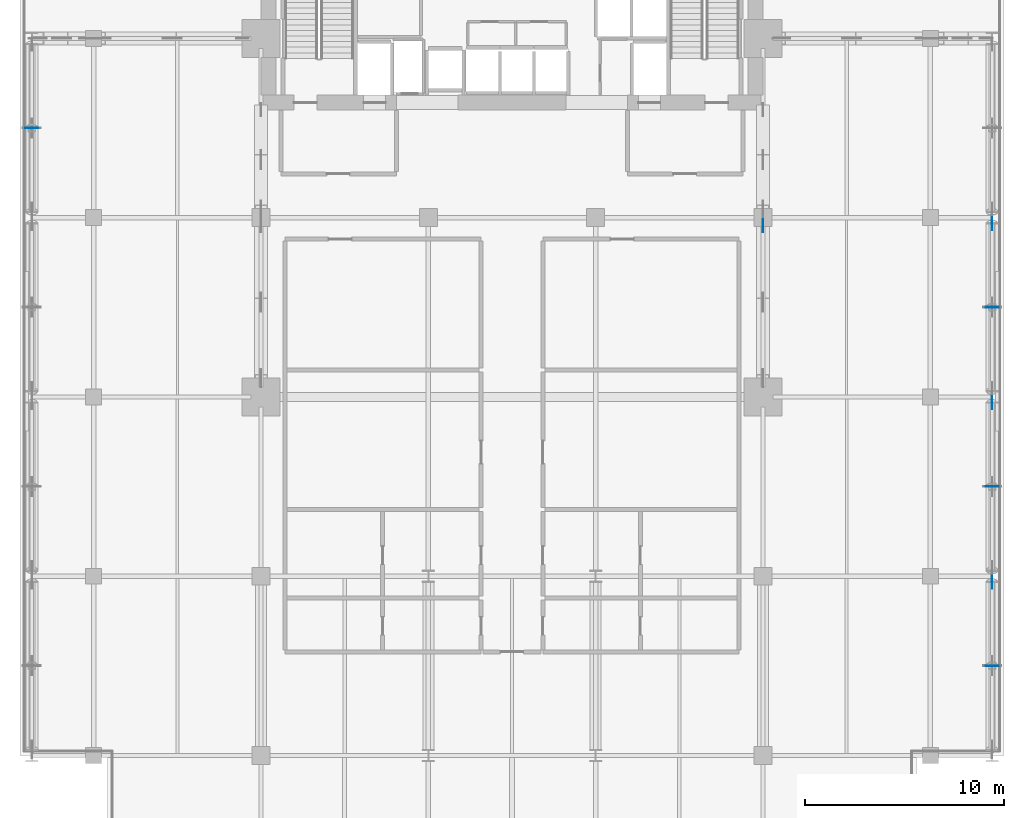
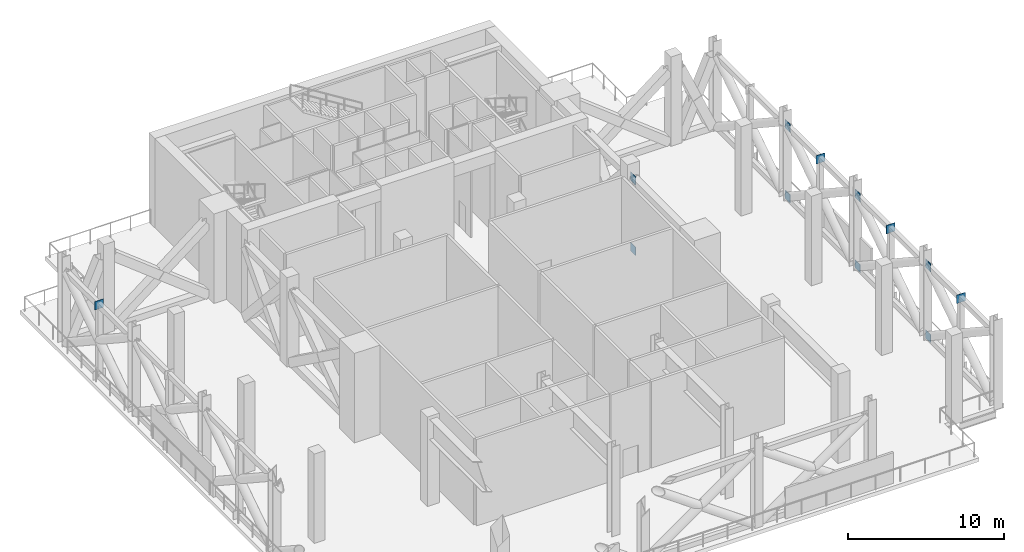
# One storey, part 7 of 14: 12 plates.
"""IFC4 building model written with IfcOpenShell, lengths in metres."""

from ifc_helpers import new_model, si_unit, direction, frame, origin, origin_2d, place, context, subcontext, project, spatial, rectangle, extrude, material, layer, layer_set, type_object, element, save


model = new_model("IFC4")

# Units and contexts
model_context = context("Model", 3, precision=1e-05, world=origin(), true_north=direction((0.0, 1.0)))
body_context = subcontext(model_context, "Body", "Model", "MODEL_VIEW")
ifc_project = project(units=[si_unit("LENGTHUNIT", "METRE"), si_unit("AREAUNIT", "SQUARE_METRE"), si_unit("VOLUMEUNIT", "CUBIC_METRE"), si_unit("PLANEANGLEUNIT", "RADIAN"), si_unit("MASSUNIT", "GRAM", prefix="KILO")], contexts=[model_context])

# Site, building, storey
site_placement = place(None, origin())
site = spatial("IfcSite", under=ifc_project, at=site_placement, CompositionType="ELEMENT")
building_placement = place(site_placement, origin())
building = spatial("IfcBuilding", under=site, at=building_placement, Name="Maruvema Waterfront Hotel and Observation Tower", CompositionType="ELEMENT")
storey_placement = place(building_placement, frame((0.0, 0.0, 227.5)))
storey = spatial("IfcBuildingStorey", under=building, at=storey_placement, Name="L56", CompositionType="ELEMENT", Elevation=227.5)

# Plates
ifc_material = material(Name="Steel ABNT NBR 7007 AR 415 (ASTM A572 Grade 50)", Category="steel")
ifc_layer = layer(ifc_material, 0.034912109375, Name="Hollow Section Sealed End Cap Plate 35 mm")
ifc_layer_set = layer_set([ifc_layer], Name="Steel ABNT NBR 7007 AR 415 (ASTM A572 Grade 50)")
plate_type = type_object("IfcPlateType", Name="Hollow Section Sealed End Cap Plate 35 mm", PredefinedType="USERDEFINED", material=ifc_layer_set)
for number, where, z_axis, x_axis, name in (
    (1, (50.39990234375, 35.60009765625, -0.074951171875), (0.0, 0.0, 1.0), (0.0, 1.0, 0.0), "L56 Outrigger Truss Bottom Chord E1 Node Plate 2"),
    (2, (50.39990234375, 35.60009765625, 5.455078125), (0.0, 0.0, 1.0), (0.0, 1.0, 0.0), "L56 Outrigger Truss Top Chord E1 Node Plate 2"),
    (3, (13.699951171875, 40.5, 5.455078125), (0.0, 0.0, 1.0), (1.0, 0.0, 0.0), "L56 Perimeter Belt Truss Post W4 Node Plate 2"),
    (4, (61.89990234375, 17.699951171875, -0.074951171875), (0.0, 0.0, 1.0), (0.0, 1.0, 0.0), "L56 Perimeter Belt Truss Chord E5 Node Plate 2"),
    (5, (61.89990234375, 17.699951171875, 5.455078125), (0.0, 0.0, 1.0), (0.0, 1.0, 0.0), "L56 Perimeter Belt Truss Top Chord E5 Node Plate 2"),
    (6, (61.89990234375, 13.5, 5.455078125), (0.0, 0.0, 1.0), (1.0, 0.0, 0.0), "L56 Perimeter Belt Truss Post E5 Node Plate 2"),
    (7, (61.89990234375, 26.699951171875, -0.074951171875), (0.0, 0.0, 1.0), (0.0, 1.0, 0.0), "L56 Perimeter Belt Truss Chord E6 Node Plate 2"),
    (8, (61.89990234375, 26.699951171875, 5.455078125), (0.0, 0.0, 1.0), (0.0, 1.0, 0.0), "L56 Perimeter Belt Truss Top Chord E6 Node Plate 2"),
    (9, (61.89990234375, 22.5, 5.455078125), (0.0, 0.0, 1.0), (1.0, 0.0, 0.0), "L56 Perimeter Belt Truss Post E6 Node Plate 2"),
    (10, (61.89990234375, 35.699951171875, -0.074951171875), (0.0, 0.0, 1.0), (0.0, 1.0, 0.0), "L56 Perimeter Belt Truss Chord E7 Node Plate 2"),
    (11, (61.89990234375, 35.699951171875, 5.455078125), (0.0, 0.0, 1.0), (0.0, 1.0, 0.0), "L56 Perimeter Belt Truss Top Chord E7 Node Plate 2"),
    (12, (61.89990234375, 31.5, 5.455078125), (0.0, 0.0, 1.0), (1.0, 0.0, 0.0), "L56 Perimeter Belt Truss Post E7 Node Plate 2"),
):
    element("IfcPlate", number, at=place(storey_placement, frame(where, z_axis=z_axis, x_axis=x_axis)), inside=storey, type_object=plate_type, Name=name, ObjectType="END_CAP_PLATE", PredefinedType="USERDEFINED", context=body_context, shape_type="SweptSolid", body=[
        extrude(rectangle(XDim=0.64990234375, YDim=0.034912109375, at=origin_2d()), origin(), (0.0, 0.0, 1.0), 0.64990234375),
    ])

save(model, "model.ifc")
